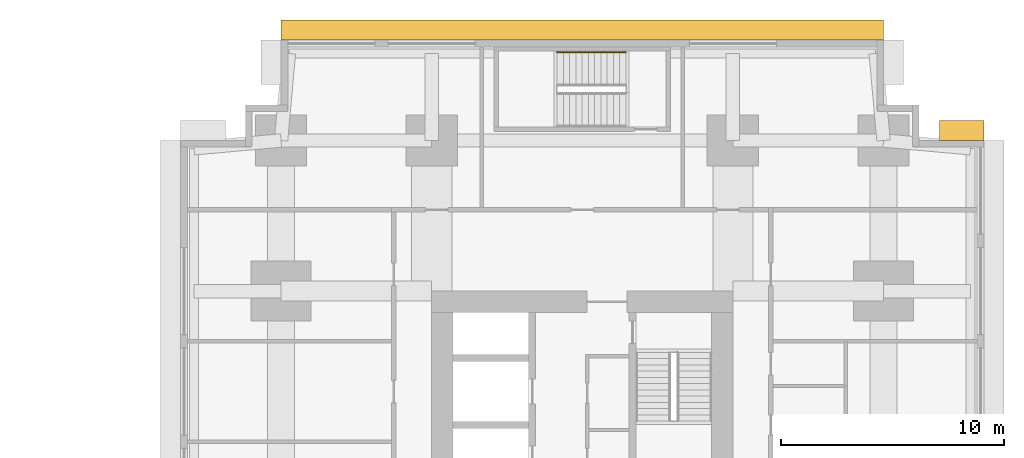
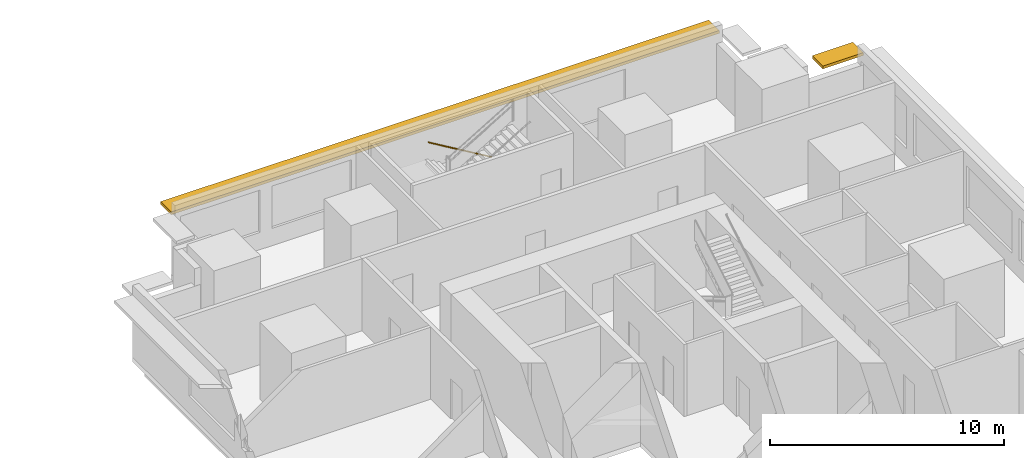
# One storey, part 11 of 11: 2 shading devices, 1 railing.
"""IFC4 building model written with IfcOpenShell, lengths in metres."""

import ifcopenshell
import ifcopenshell.guid

model = None  # the IFC model being written
_history = None  # IfcOwnerHistory: only IFC2X3 demands one
_inside = {}  # id of a spatial element -> (the spatial element, [elements in it])
_under = {}  # id of a project, library or spatial element -> (it, [spatial elements below it])
_declared = {}  # id of a project -> (the project, [libraries it declares])
_typed = {}  # id of a type object -> (the type object, [elements of that type])
_made_of = {}  # id of a material, layer set ... -> (it, [elements and type objects made of it])


def new_model(schema):
    """Start an empty IFC model of exactly this schema.

    Asked for "IFC4X3", IfcOpenShell would pick the latest addendum, in which some entities
    have other attributes; the version numbers below select the first issue.
    IFC2X3 requires an IfcOwnerHistory on every rooted entity: one is made here for all.
    """
    global model, _history
    if schema == "IFC4X3":
        model = ifcopenshell.file(schema_version=(4, 3, 0, 0))
    else:
        model = ifcopenshell.file(schema=schema)
    _inside.clear()
    _under.clear()
    _declared.clear()
    _typed.clear()
    _made_of.clear()
    _history = None
    if model.schema == "IFC2X3":
        org = make("IfcOrganization", Name="unknown")
        user = make(
            "IfcPersonAndOrganization",
            ThePerson=make("IfcPerson", FamilyName="unknown"),
            TheOrganization=org,
        )
        app = make(
            "IfcApplication",
            ApplicationDeveloper=org,
            Version="unknown",
            ApplicationFullName="unknown",
            ApplicationIdentifier="unknown",
        )
        _history = make(
            "IfcOwnerHistory",
            OwningUser=user,
            OwningApplication=app,
            ChangeAction="ADDED",
            CreationDate=0,
        )
    return model


def make(cls, **values):
    """One entity of the class cls with the attributes given. An attribute that is None is left unset."""
    return model.create_entity(
        cls, **{name: value for name, value in values.items() if value is not None}
    )


def rooted(cls, **values):
    """An entity with a GlobalId (a new one), such as an element, a storey or a relation."""
    return make(cls, GlobalId=ifcopenshell.guid.new(), OwnerHistory=_history, **values)


def si_unit(unit_type, name, prefix=None):
    """IfcSIUnit, for example si_unit("LENGTHUNIT", "METRE", prefix="MILLI")."""
    return make("IfcSIUnit", UnitType=unit_type, Prefix=prefix, Name=name)


def assignment(units):
    """IfcUnitAssignment: the units of a project."""
    return None if units is None else make("IfcUnitAssignment", Units=units)


def point(xyz):
    """IfcCartesianPoint."""
    return None if xyz is None else make("IfcCartesianPoint", Coordinates=xyz)


def direction(xyz):
    """IfcDirection."""
    return None if xyz is None else make("IfcDirection", DirectionRatios=xyz)


def frame(location, z_axis=None, x_axis=None):
    """IfcAxis2Placement3D, a coordinate frame: its origin and axes. An axis left out is left unset."""
    return make(
        "IfcAxis2Placement3D",
        Location=point(location),
        Axis=direction(z_axis),
        RefDirection=direction(x_axis),
    )


def frame_2d(location, x_axis=None):
    """IfcAxis2Placement2D, a coordinate frame in the plane: its origin and x axis."""
    return make(
        "IfcAxis2Placement2D", Location=point(location), RefDirection=direction(x_axis)
    )


def origin():
    """The frame at (0, 0, 0) with its axes left unset."""
    return frame((0.0, 0.0, 0.0))


def origin_2d():
    """The frame at (0, 0) in the plane with its x axis left unset."""
    return frame_2d((0.0, 0.0))


def place(relative_to, where):
    """IfcLocalPlacement: puts the frame where relative to a parent placement (None: the world)."""
    return make(
        "IfcLocalPlacement", PlacementRelTo=relative_to, RelativePlacement=where
    )


def context(
    kind, dimensions, precision=None, world=None, true_north=None, identifier=None
):
    """IfcGeometricRepresentationContext, for example the 3D "Model" context."""
    return make(
        "IfcGeometricRepresentationContext",
        ContextIdentifier=identifier,
        ContextType=kind,
        CoordinateSpaceDimension=dimensions,
        Precision=precision,
        WorldCoordinateSystem=world,
        TrueNorth=true_north,
    )


def subcontext(parent, identifier, kind, view, scale=None):
    """IfcGeometricRepresentationSubContext, for example "Body" below "Model"."""
    return make(
        "IfcGeometricRepresentationSubContext",
        ContextIdentifier=identifier,
        ContextType=kind,
        ParentContext=parent,
        TargetScale=scale,
        TargetView=view,
    )


def project(units=None, contexts=None):
    """IfcProject with its units and contexts."""
    return rooted(
        "IfcProject",
        Name="project",
        RepresentationContexts=contexts,
        UnitsInContext=assignment(units),
    )


def spatial(cls, under=None, at=None, **own):
    """A site, building, storey or space (cls), placed at a placement, below another one or the project."""
    s = rooted(cls, ObjectPlacement=at, **own)
    if under is not None:
        _under.setdefault(under.id(), (under, []))[1].append(s)
    return s


def profile(cls, at=None, kind="AREA", **sizes):
    """A parametric profile (cls). Its sizes go by their IFC names, for example OverallWidth=200.0."""
    return make(cls, ProfileType=kind, Position=at, **sizes)


def rectangle(**sizes):
    """IfcRectangleProfileDef."""
    return profile("IfcRectangleProfileDef", **sizes)


def circle(**sizes):
    """IfcCircleProfileDef."""
    return profile("IfcCircleProfileDef", **sizes)


def extrude(swept, where, along, depth):
    """IfcExtrudedAreaSolid: the profile swept, set in the frame where, extruded along a direction by depth."""
    return make(
        "IfcExtrudedAreaSolid",
        SweptArea=swept,
        Position=where,
        ExtrudedDirection=direction(along),
        Depth=depth,
    )


def shape(context_of_items, identifier, shape_type, items):
    """IfcShapeRepresentation: the items that make up one representation, for example the "Body"."""
    return make(
        "IfcShapeRepresentation",
        ContextOfItems=context_of_items,
        RepresentationIdentifier=identifier,
        RepresentationType=shape_type,
        Items=items,
    )


def material(Name=None, Category=None):
    """IfcMaterial."""
    return make("IfcMaterial", Name=Name, Category=Category)


def layer(
    of_material, thickness, ventilated=None, Name=None, Category=None, Priority=None
):
    """IfcMaterialLayer: one layer of a wall or slab, of a material (None: an air gap)."""
    return make(
        "IfcMaterialLayer",
        Material=of_material,
        LayerThickness=thickness,
        IsVentilated=ventilated,
        Name=Name,
        Category=Category,
        Priority=Priority,
    )


def layer_set(layers, Name=None):
    """IfcMaterialLayerSet."""
    return make("IfcMaterialLayerSet", MaterialLayers=layers, LayerSetName=Name)


def made_of(thing, what):
    """Note that an element or type object is made of a material, layer set ...; save() writes the relation."""
    if what is not None:
        _made_of.setdefault(what.id(), (what, []))[1].append(thing)
    return thing


def type_object(cls, material=None, **own):
    """A type object (cls), such as IfcWallType, which elements share."""
    return made_of(rooted(cls, **own), material)


def element(
    cls,
    number,
    at=None,
    inside=None,
    cuts=None,
    type_object=None,
    material=None,
    context=None,
    identifier="Body",
    shape_type=None,
    held_by="IfcProductDefinitionShape",
    body=None,
    shapes=None,
    **own,
):
    """One element of the class cls, such as IfcWall. Its Tag is "e" and its number.

    at: its placement. inside: the storey or other place that contains it. cuts: it is an
    opening in that element (IfcRelVoidsElement). A single representation is given by context,
    identifier, shape_type and body (its items); several are given by shapes. held_by: the class
    of the entity that holds the representations. save() writes the other relations.
    """
    e = rooted(cls, Tag="e%d" % number, ObjectPlacement=at, **own)
    if body is not None:
        shapes = [shape(context, identifier, shape_type, body)]
    if shapes is not None:
        e.Representation = make(held_by, Representations=shapes)
    if inside is not None:
        _inside.setdefault(inside.id(), (inside, []))[1].append(e)
    if cuts is not None:
        rooted(
            "IfcRelVoidsElement", RelatingBuildingElement=cuts, RelatedOpeningElement=e
        )
    if type_object is not None:
        _typed.setdefault(type_object.id(), (type_object, []))[1].append(e)
    return made_of(e, material)


def aggregate(whole, parts):
    """IfcRelAggregates: a whole, such as a stair, and the parts it consists of."""
    return rooted("IfcRelAggregates", RelatingObject=whole, RelatedObjects=parts)


def save(model, path):
    """Write the relations noted so far, then the file.

    IfcRelAggregates (storeys below a building ...), IfcRelContainedInSpatialStructure (elements
    in a storey), IfcRelDefinesByType, IfcRelAssociatesMaterial and IfcRelDeclares: one each for
    every whole, place, type object, material and project.
    """
    for whole, parts in _under.values():
        aggregate(whole, parts)
    for where, things in _inside.values():
        rooted(
            "IfcRelContainedInSpatialStructure",
            RelatedElements=things,
            RelatingStructure=where,
        )
    for kind, things in _typed.values():
        rooted("IfcRelDefinesByType", RelatedObjects=things, RelatingType=kind)
    for what, things in _made_of.values():
        rooted("IfcRelAssociatesMaterial", RelatedObjects=things, RelatingMaterial=what)
    for by, libraries in _declared.values():
        rooted("IfcRelDeclares", RelatingContext=by, RelatedDefinitions=libraries)
    model.write(path)


model = new_model("IFC4")

# Units and contexts
model_context = context("Model", 3, precision=1e-05, world=origin(), true_north=direction((0.0, 1.0)))
body_context = subcontext(model_context, "Body", "Model", "MODEL_VIEW")
ifc_project = project(units=[si_unit("LENGTHUNIT", "METRE"), si_unit("AREAUNIT", "SQUARE_METRE"), si_unit("VOLUMEUNIT", "CUBIC_METRE"), si_unit("PLANEANGLEUNIT", "RADIAN"), si_unit("MASSUNIT", "GRAM", prefix="KILO")], contexts=[model_context])

# Site, building, storey
site_placement = place(None, origin())
site = spatial("IfcSite", under=ifc_project, at=site_placement, CompositionType="ELEMENT")
building_placement = place(site_placement, origin())
building = spatial("IfcBuilding", under=site, at=building_placement, Name="Namib Vertical Campus", CompositionType="ELEMENT")
storey_placement = place(building_placement, frame((0.0, 0.0, 25.0)))
storey = spatial("IfcBuildingStorey", under=building, at=storey_placement, Name="L05", CompositionType="ELEMENT", Elevation=25.0)

# Railing
ifc_material_1 = material(Name="Steel handrail", Category="steel")
railing_type = type_object("IfcRailingType", Name="Handrail 900", PredefinedType="HANDRAIL", material=ifc_material_1)
railing_placement = place(storey_placement, frame((82.949951171875, 39.949951171875, 0.166748046875)))
element("IfcRailing", 1, at=railing_placement, inside=storey, type_object=railing_type, Name="Handrail HR1 B-S3 L05 1", PredefinedType="HANDRAIL", context=body_context, shape_type="SweptSolid", body=[
    extrude(circle(Radius=0.02392578125, at=origin_2d()), frame((0.0, 0.0, 0.8759765625), z_axis=(-0.859290745958, 0.0, 0.51148745235), x_axis=(0.0, -1.0, 0.0)), (0.0, 0.0, 1.0), 3.584228515625),
    extrude(circle(Radius=0.008056640625, at=origin_2d()), frame((0.0, 0.0, 0.8759765625), z_axis=(0.0, 1.0, 0.0), x_axis=(0.0, 0.0, 1.0)), (0.0, 0.0, 1.0), 0.050048828125),
    extrude(circle(Radius=0.008056640625, at=origin_2d()), frame((-1.026611328125, 0.0, 1.48681640625), z_axis=(0.0, 1.0, 0.0), x_axis=(0.0, 0.0, 1.0)), (0.0, 0.0, 1.0), 0.050048828125),
    extrude(circle(Radius=0.008056640625, at=origin_2d()), frame((-2.05322265625, 0.0, 2.09814453125), z_axis=(0.0, 1.0, 0.0), x_axis=(0.0, 0.0, 1.0)), (0.0, 0.0, 1.0), 0.050048828125),
    extrude(circle(Radius=0.008056640625, at=origin_2d()), frame((-3.079833984375, 0.0, 2.708984375), z_axis=(0.0, 1.0, 0.0), x_axis=(0.0, 0.0, 1.0)), (0.0, 0.0, 1.0), 0.050048828125),
])

# Shading devices
ifc_material_2 = material(Name="Concrete C40/50 precast", Category="concrete")
ifc_layer = layer(ifc_material_2, 0.14990234375)
ifc_layer_set = layer_set([ifc_layer], Name="Concrete C40/50 precast")
shading_device_type = type_object("IfcShadingDeviceType", Name="Sunshade hood 900", PredefinedType="SHUTTER", material=ifc_layer_set)
shading_device_1_placement = place(storey_placement, frame((98.0, 36.449951171875, 3.10009765625), z_axis=(0.0, 0.0, 1.0), x_axis=(-1.0, 0.0, 0.0)))
element("IfcShadingDevice", 2, at=shading_device_1_placement, inside=storey, type_object=shading_device_type, Name="Sunshade SH1 L05 7", PredefinedType="SHUTTER", context=body_context, shape_type="SweptSolid", body=[
    extrude(rectangle(XDim=2.0, YDim=0.89990234375, at=origin_2d()), origin(), (0.0, 0.0, 1.0), 0.14990234375),
])
shading_device_2_placement = place(storey_placement, frame((81.0, 40.949951171875, 3.10009765625), z_axis=(0.0, 0.0, 1.0), x_axis=(-1.0, 0.0, 0.0)))
element("IfcShadingDevice", 3, at=shading_device_2_placement, inside=storey, type_object=shading_device_type, Name="Sunshade SH1 L05 11", PredefinedType="SHUTTER", context=body_context, shape_type="SweptSolid", body=[
    extrude(rectangle(XDim=27.0, YDim=0.89990234375, at=origin_2d()), origin(), (0.0, 0.0, 1.0), 0.14990234375),
])

save(model, "model.ifc")
